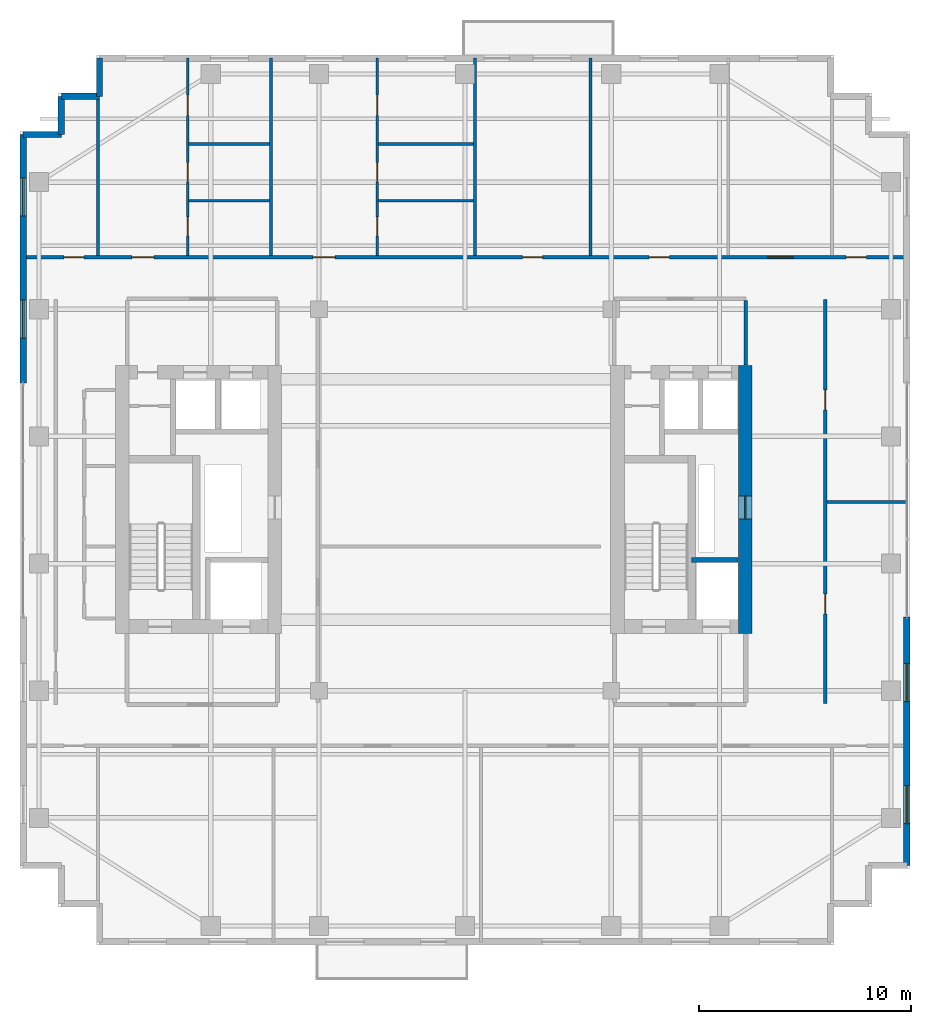
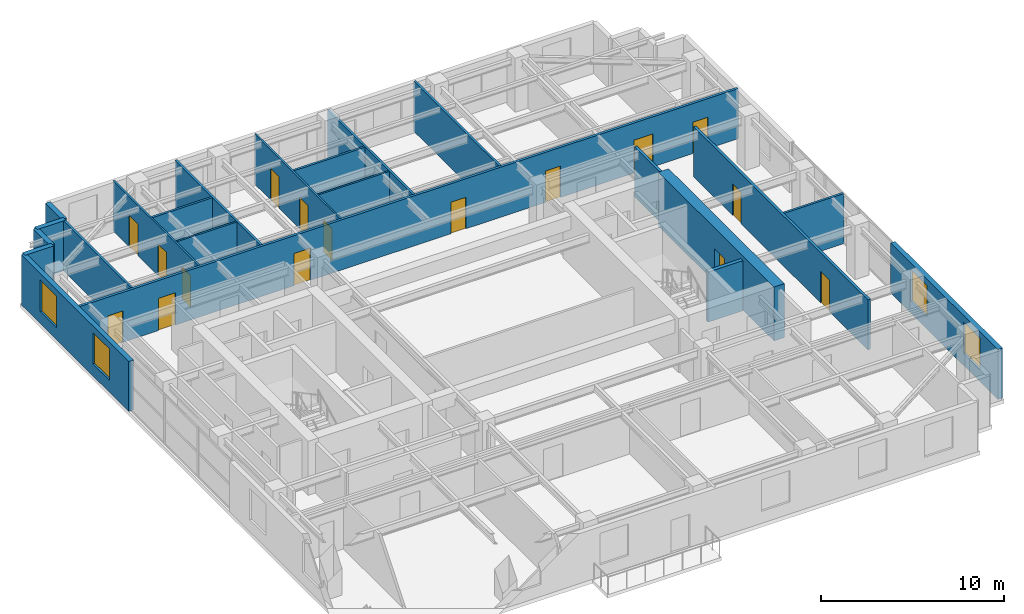
# One storey, part 11 of 14: 22 walls, 16 doors, 4 windows, 20 openings.
"""IFC4 building model written with IfcOpenShell, lengths in metres."""

from ifc_helpers import new_model, si_unit, direction, frame, frame_2d, origin, place, context, subcontext, project, spatial, rectangle, extrude, source, transform, mapped, material, layer, layer_set, type_object, element, fill, save


model = new_model("IFC4")

# Units and contexts
model_context = context("Model", 3, precision=1e-05, world=origin(), true_north=direction((0.0, 1.0)))
body_context = subcontext(model_context, "Body", "Model", "MODEL_VIEW")
ifc_project = project(units=[si_unit("LENGTHUNIT", "METRE"), si_unit("AREAUNIT", "SQUARE_METRE"), si_unit("VOLUMEUNIT", "CUBIC_METRE"), si_unit("PLANEANGLEUNIT", "RADIAN"), si_unit("MASSUNIT", "GRAM", prefix="KILO")], contexts=[model_context])

# Site, building, storey
site_placement = place(None, origin())
site = spatial("IfcSite", under=ifc_project, at=site_placement, CompositionType="ELEMENT")
building_placement = place(site_placement, origin())
building = spatial("IfcBuilding", under=site, at=building_placement, Name="Khoralis Quay Care Tower", CompositionType="ELEMENT")
storey_placement = place(building_placement, frame((0.0, 0.0, 177.300048828125)))
storey = spatial("IfcBuildingStorey", under=building, at=storey_placement, Name="L46", CompositionType="ELEMENT", Elevation=177.300048828125)

# Wall, opening, door
ifc_material_1 = material(Name="Concrete C65/80", Category="concrete")
ifc_layer_1 = layer(ifc_material_1, 0.64990234375)
ifc_layer_set_1 = layer_set([ifc_layer_1], Name="Concrete C65/80")
wall_type_1 = type_object("IfcWallType", Name="WL-CORE-650", PredefinedType="SHEAR", material=ifc_layer_set_1)
wall_1_placement = place(storey_placement, frame((37.22509765625, 14.699951171875, 0.0), z_axis=(0.0, 0.0, 1.0), x_axis=(0.0, 1.0, 0.0)))
wall_1 = element("IfcWall", 1, at=wall_1_placement, inside=storey, type_object=wall_type_1, Name="L46 ECORE East Shear Wall", PredefinedType="SHEAR", context=body_context, shape_type="SweptSolid", body=[
    extrude(rectangle(XDim=12.650146484375, YDim=0.64990234375, at=frame_2d((6.3251953125, 0.0))), origin(), (0.0, 0.0, 1.0), 3.599853515625),
])
opening_1_placement = place(wall_1_placement, frame((5.39990234375, 0.0, 0.0)))
opening_1 = element("IfcOpeningElement", 2, at=opening_1_placement, cuts=wall_1, Name="Opening SD1", PredefinedType="OPENING", context=body_context, shape_type="SweptSolid", body=[
    extrude(rectangle(XDim=1.10009765625, YDim=2.199951171875, at=frame_2d((0.550048828125, 1.10009765625))), frame((0.0, 0.3349609375, 0.0), z_axis=(0.0, -1.0, 0.0), x_axis=(1.0, 0.0, 0.0)), (0.0, 0.0, 1.0), 0.669921875),
])
ifc_material_2 = material(Name="Fire-rated painted steel", Category="steel")
door_type_1 = type_object("IfcDoorType", Name="DR-STAIR-1100X2200", OperationType="NOTDEFINED", PredefinedType="DOOR", material=ifc_material_2)
shared_shape_1 = source(origin(), body_context, "Body", "SweptSolid", [
    extrude(rectangle(XDim=1.10009765625, YDim=2.199951171875, at=frame_2d((0.550048828125, 1.10009765625))), frame((0.0, 0.02490234375, 0.0), z_axis=(0.0, -1.0, 0.0), x_axis=(1.0, 0.0, 0.0)), (0.0, 0.0, 1.0), 0.050048828125),
])
door_1_placement = place(opening_1_placement, frame((1.10009765625, 0.0, 0.0), z_axis=(0.0, 0.0, 1.0), x_axis=(-1.0, 0.0, 0.0)))
door_1 = element("IfcDoor", 3, at=door_1_placement, inside=storey, type_object=door_type_1, Name="L46 East MEP Riser Door", OperationType="SINGLE_SWING_LEFT", OverallHeight=2.199951171875, OverallWidth=1.10009765625, PredefinedType="DOOR", context=body_context, shape_type="MappedRepresentation", body=[
    mapped(shared_shape_1, transform((0.0, 0.0, 0.0), scale=1.0)),
])
fill(opening_1, door_1)

# Wall
ifc_material_3 = material(Name="Gypsum plasterboard on acoustic metal stud")
ifc_layer_2 = layer(ifc_material_3, 0.1650390625)
ifc_layer_set_2 = layer_set([ifc_layer_2], Name="Gypsum plasterboard on acoustic metal stud")
wall_type_2 = type_object("IfcWallType", Name="WL-CORR-165", PredefinedType="PARTITIONING", material=ifc_layer_set_2)
wall_2_placement = place(storey_placement, frame((37.25, 27.3701171875, 0.0), z_axis=(0.0, 0.0, 1.0), x_axis=(0.0, 1.0, 0.0)))
element("IfcWall", 4, at=wall_2_placement, inside=storey, type_object=wall_type_2, Name="L46 East Lift Lobby East Wall", PredefinedType="PARTITIONING", context=body_context, shape_type="SweptSolid", body=[
    extrude(rectangle(XDim=3.052490234375, YDim=0.1650390625, at=frame_2d((1.5263671875, 0.0))), origin(), (0.0, 0.0, 1.0), 3.33984375),
])

# Wall, openings, doors
wall_3_placement = place(storey_placement, frame((3.14501953125, 32.4599609375, 0.0), z_axis=(0.0, 0.0, 1.0), x_axis=(1.0, 0.0, 0.0)))
wall_3 = element("IfcWall", 5, at=wall_3_placement, inside=storey, type_object=wall_type_2, Name="L46 North Main Corridor Wall", PredefinedType="PARTITIONING", context=body_context, shape_type="SweptSolid", body=[
    extrude(rectangle(XDim=41.7099609375, YDim=0.1650390625, at=frame_2d((20.85498046875, 0.0))), origin(), (0.0, 0.0, 1.0), 3.33984375),
])
opening_2_placement = place(wall_3_placement, frame((5.131591796875, 0.0, 0.0)))
opening_2 = element("IfcOpeningElement", 6, at=opening_2_placement, cuts=wall_3, Name="Opening UD1", PredefinedType="OPENING", context=body_context, shape_type="SweptSolid", body=[
    extrude(rectangle(XDim=1.050048828125, YDim=2.14990234375, at=frame_2d((0.52490234375, 1.074951171875))), frame((0.0, 0.092529296875, 0.0), z_axis=(0.0, -1.0, 0.0), x_axis=(1.0, 0.0, 0.0)), (0.0, 0.0, 1.0), 0.18505859375),
])
opening_3_placement = place(wall_3_placement, frame((13.674072265625, 0.0, 0.0)))
opening_3 = element("IfcOpeningElement", 7, at=opening_3_placement, cuts=wall_3, Name="Opening UD1", PredefinedType="OPENING", context=body_context, shape_type="SweptSolid", body=[
    extrude(rectangle(XDim=1.050048828125, YDim=2.14990234375, at=frame_2d((0.52490234375, 1.074951171875))), frame((0.0, 0.092529296875, 0.0), z_axis=(0.0, -1.0, 0.0), x_axis=(1.0, 0.0, 0.0)), (0.0, 0.0, 1.0), 0.18505859375),
])
opening_4_placement = place(wall_3_placement, frame((23.570068359375, 0.0, 0.0)))
opening_4 = element("IfcOpeningElement", 8, at=opening_4_placement, cuts=wall_3, Name="Opening ID1", PredefinedType="OPENING", context=body_context, shape_type="SweptSolid", body=[
    extrude(rectangle(XDim=0.949951171875, YDim=2.10009765625, at=frame_2d((0.47509765625, 1.050048828125))), frame((0.0, 0.092529296875, 0.0), z_axis=(0.0, -1.0, 0.0), x_axis=(1.0, 0.0, 0.0)), (0.0, 0.0, 1.0), 0.18505859375),
])
opening_5_placement = place(wall_3_placement, frame((29.544921875, 0.0, 0.0)))
opening_5 = element("IfcOpeningElement", 9, at=opening_5_placement, cuts=wall_3, Name="Opening ID1", PredefinedType="OPENING", context=body_context, shape_type="SweptSolid", body=[
    extrude(rectangle(XDim=0.949951171875, YDim=2.10009765625, at=frame_2d((0.47509765625, 1.050048828125))), frame((0.0, 0.092529296875, 0.0), z_axis=(0.0, -1.0, 0.0), x_axis=(1.0, 0.0, 0.0)), (0.0, 0.0, 1.0), 0.18505859375),
])
opening_6_placement = place(wall_3_placement, frame((35.125, 0.0, 0.0)))
opening_6 = element("IfcOpeningElement", 10, at=opening_6_placement, cuts=wall_3, Name="Opening FD1", PredefinedType="OPENING", context=body_context, shape_type="SweptSolid", body=[
    extrude(rectangle(XDim=1.199951171875, YDim=2.199951171875, at=frame_2d((0.60009765625, 1.10009765625))), frame((0.0, 0.092529296875, 0.0), z_axis=(0.0, -1.0, 0.0), x_axis=(1.0, 0.0, 0.0)), (0.0, 0.0, 1.0), 0.18505859375),
])
opening_7_placement = place(wall_3_placement, frame((1.919921875, 0.0, 0.0)))
opening_7 = element("IfcOpeningElement", 11, at=opening_7_placement, cuts=wall_3, Name="Opening ID1", PredefinedType="OPENING", context=body_context, shape_type="SweptSolid", body=[
    extrude(rectangle(XDim=0.949951171875, YDim=2.10009765625, at=frame_2d((0.47509765625, 1.050048828125))), frame((0.0, 0.092529296875, 0.0), z_axis=(0.0, -1.0, 0.0), x_axis=(1.0, 0.0, 0.0)), (0.0, 0.0, 1.0), 0.18505859375),
])
opening_8_placement = place(wall_3_placement, frame((38.840087890625, 0.0, 0.0)))
opening_8 = element("IfcOpeningElement", 12, at=opening_8_placement, cuts=wall_3, Name="Opening ID1", PredefinedType="OPENING", context=body_context, shape_type="SweptSolid", body=[
    extrude(rectangle(XDim=0.949951171875, YDim=2.10009765625, at=frame_2d((0.47509765625, 1.050048828125))), frame((0.0, 0.092529296875, 0.0), z_axis=(0.0, -1.0, 0.0), x_axis=(1.0, 0.0, 0.0)), (0.0, 0.0, 1.0), 0.18505859375),
])
door_type_2 = type_object("IfcDoorType", Name="DR-FFL-1200X2200", OperationType="NOTDEFINED", PredefinedType="DOOR", material=ifc_material_2)
shared_shape_2 = source(origin(), body_context, "Body", "SweptSolid", [
    extrude(rectangle(XDim=1.199951171875, YDim=2.199951171875, at=frame_2d((0.60009765625, 1.10009765625))), frame((0.0, 0.02490234375, 0.0), z_axis=(0.0, -1.0, 0.0), x_axis=(1.0, 0.0, 0.0)), (0.0, 0.0, 1.0), 0.050048828125),
])
door_2_placement = place(opening_6_placement, origin())
door_2 = element("IfcDoor", 13, at=door_2_placement, inside=storey, type_object=door_type_2, Name="L46 Senior Wellness Pharmacy Shop Door", OperationType="DOUBLE_DOOR_SINGLE_SWING", OverallHeight=2.199951171875, OverallWidth=1.199951171875, PredefinedType="DOOR", context=body_context, shape_type="MappedRepresentation", body=[
    mapped(shared_shape_2, transform((0.0, 0.0, 0.0), scale=1.0)),
])
fill(opening_6, door_2)
ifc_material_4 = material(Name="Acoustic hardwood timber", Category="wood")
door_type_3 = type_object("IfcDoorType", Name="DR-ROOM-950X2100", OperationType="NOTDEFINED", PredefinedType="DOOR", material=ifc_material_4)
shared_shape_3 = source(origin(), body_context, "Body", "SweptSolid", [
    extrude(rectangle(XDim=0.949951171875, YDim=2.10009765625, at=frame_2d((0.47509765625, 1.050048828125))), frame((0.0, 0.02490234375, 0.0), z_axis=(0.0, -1.0, 0.0), x_axis=(1.0, 0.0, 0.0)), (0.0, 0.0, 1.0), 0.050048828125),
])
door_3_placement = place(opening_4_placement, origin())
door_3 = element("IfcDoor", 14, at=door_3_placement, inside=storey, type_object=door_type_3, Name="L46 Care Coordination Office Door", OperationType="SINGLE_SWING_LEFT", OverallHeight=2.10009765625, OverallWidth=0.949951171875, PredefinedType="DOOR", context=body_context, shape_type="MappedRepresentation", body=[
    mapped(shared_shape_3, transform((0.0, 0.0, 0.0), scale=1.0)),
])
fill(opening_4, door_3)
door_4_placement = place(opening_5_placement, origin())
door_4 = element("IfcDoor", 15, at=door_4_placement, inside=storey, type_object=door_type_3, Name="L46 Family Case Conference Room Door", OperationType="SINGLE_SWING_RIGHT", OverallHeight=2.10009765625, OverallWidth=0.949951171875, PredefinedType="DOOR", context=body_context, shape_type="MappedRepresentation", body=[
    mapped(shared_shape_3, transform((0.0, 0.0, 0.0), scale=1.0)),
])
fill(opening_5, door_4)
door_5_placement = place(opening_7_placement, origin())
door_5 = element("IfcDoor", 16, at=door_5_placement, inside=storey, type_object=door_type_3, Name="L46 NW Corner Door", OperationType="SINGLE_SWING_RIGHT", OverallHeight=2.10009765625, OverallWidth=0.949951171875, PredefinedType="DOOR", context=body_context, shape_type="MappedRepresentation", body=[
    mapped(shared_shape_3, transform((0.0, 0.0, 0.0), scale=1.0)),
])
fill(opening_7, door_5)
door_6_placement = place(opening_8_placement, origin())
door_6 = element("IfcDoor", 17, at=door_6_placement, inside=storey, type_object=door_type_3, Name="L46 NE Corner Door", OperationType="SINGLE_SWING_LEFT", OverallHeight=2.10009765625, OverallWidth=0.949951171875, PredefinedType="DOOR", context=body_context, shape_type="MappedRepresentation", body=[
    mapped(shared_shape_3, transform((0.0, 0.0, 0.0), scale=1.0)),
])
fill(opening_8, door_6)
door_type_4 = type_object("IfcDoorType", Name="DR-SUITE-1050X2150", OperationType="NOTDEFINED", PredefinedType="DOOR", material=ifc_material_4)
shared_shape_4 = source(origin(), body_context, "Body", "SweptSolid", [
    extrude(rectangle(XDim=1.050048828125, YDim=2.14990234375, at=frame_2d((0.52490234375, 1.074951171875))), frame((0.0, 0.02490234375, 0.0), z_axis=(0.0, -1.0, 0.0), x_axis=(1.0, 0.0, 0.0)), (0.0, 0.0, 1.0), 0.050048828125),
])
door_7_placement = place(opening_2_placement, origin())
door_7 = element("IfcDoor", 18, at=door_7_placement, inside=storey, type_object=door_type_4, Name="L46 Apartment NB0 Entrance Door", OperationType="SINGLE_SWING_RIGHT", OverallHeight=2.14990234375, OverallWidth=1.050048828125, PredefinedType="DOOR", context=body_context, shape_type="MappedRepresentation", body=[
    mapped(shared_shape_4, transform((0.0, 0.0, 0.0), scale=1.0)),
])
fill(opening_2, door_7)
door_8_placement = place(opening_3_placement, origin())
door_8 = element("IfcDoor", 19, at=door_8_placement, inside=storey, type_object=door_type_4, Name="L46 Apartment NB1 Entrance Door", OperationType="SINGLE_SWING_LEFT", OverallHeight=2.14990234375, OverallWidth=1.050048828125, PredefinedType="DOOR", context=body_context, shape_type="MappedRepresentation", body=[
    mapped(shared_shape_4, transform((0.0, 0.0, 0.0), scale=1.0)),
])
fill(opening_3, door_8)

wall_4_placement = place(storey_placement, frame((41.0, 11.39990234375, 0.0), z_axis=(0.0, 0.0, 1.0), x_axis=(0.0, 1.0, 0.0)))
wall_4 = element("IfcWall", 20, at=wall_4_placement, inside=storey, type_object=wall_type_2, Name="L46 East Gallery Wall", PredefinedType="PARTITIONING", context=body_context, shape_type="SweptSolid", body=[
    extrude(rectangle(XDim=19.050048828125, YDim=0.1650390625, at=frame_2d((9.52490234375, 0.0))), origin(), (0.0, 0.0, 1.0), 3.33984375),
])
opening_9_placement = place(wall_4_placement, frame((4.22509765625, 0.0, 0.0)))
opening_9 = element("IfcOpeningElement", 21, at=opening_9_placement, cuts=wall_4, Name="Opening ID1", PredefinedType="OPENING", context=body_context, shape_type="SweptSolid", body=[
    extrude(rectangle(XDim=0.949951171875, YDim=2.10009765625, at=frame_2d((0.47509765625, 1.050048828125))), frame((0.0, 0.092529296875, 0.0), z_axis=(0.0, -1.0, 0.0), x_axis=(1.0, 0.0, 0.0)), (0.0, 0.0, 1.0), 0.18505859375),
])
opening_10_placement = place(wall_4_placement, frame((13.85009765625, 0.0, 0.0)))
opening_10 = element("IfcOpeningElement", 22, at=opening_10_placement, cuts=wall_4, Name="Opening ID1", PredefinedType="OPENING", context=body_context, shape_type="SweptSolid", body=[
    extrude(rectangle(XDim=0.949951171875, YDim=2.10009765625, at=frame_2d((0.47509765625, 1.050048828125))), frame((0.0, 0.092529296875, 0.0), z_axis=(0.0, -1.0, 0.0), x_axis=(1.0, 0.0, 0.0)), (0.0, 0.0, 1.0), 0.18505859375),
])
door_9_placement = place(opening_9_placement, origin())
door_9 = element("IfcDoor", 23, at=door_9_placement, inside=storey, type_object=door_type_3, Name="L46 East Clinic Door", OperationType="SINGLE_SWING_LEFT", OverallHeight=2.10009765625, OverallWidth=0.949951171875, PredefinedType="DOOR", context=body_context, shape_type="MappedRepresentation", body=[
    mapped(shared_shape_3, transform((0.0, 0.0, 0.0), scale=1.0)),
])
fill(opening_9, door_9)
door_10_placement = place(opening_10_placement, origin())
door_10 = element("IfcDoor", 24, at=door_10_placement, inside=storey, type_object=door_type_3, Name="L46 East Lounge Door", OperationType="SINGLE_SWING_RIGHT", OverallHeight=2.10009765625, OverallWidth=0.949951171875, PredefinedType="DOOR", context=body_context, shape_type="MappedRepresentation", body=[
    mapped(shared_shape_3, transform((0.0, 0.0, 0.0), scale=1.0)),
])
fill(opening_10, door_10)

# Wall, openings, windows
ifc_material_5 = material(Name="Precast concrete C45/55", Category="concrete")
ifc_layer_3 = layer(ifc_material_5, 0.300048828125)
ifc_layer_set_3 = layer_set([ifc_layer_3], Name="Precast concrete C45/55")
wall_type_3 = type_object("IfcWallType", Name="WL-EXT-REF-300", PredefinedType="SOLIDWALL", material=ifc_layer_set_3)
wall_5_placement = place(storey_placement, frame((44.85009765625, 3.75, 0.0), z_axis=(0.0, 0.0, 1.0), x_axis=(0.0, 1.0, 0.0)))
wall_5 = element("IfcWall", 25, at=wall_5_placement, inside=storey, type_object=wall_type_3, Name="L46 External Facade Wall WL-EXT-L46-P1-E5A", PredefinedType="SOLIDWALL", context=body_context, shape_type="SweptSolid", body=[
    extrude(rectangle(XDim=11.72998046875, YDim=0.300048828125, at=frame_2d((5.864990234375, 0.0))), origin(), (0.0, 0.0, 1.0), 3.33984375),
])
opening_11_placement = place(wall_5_placement, frame((1.97509765625, 0.0, 0.800048828125)))
opening_11 = element("IfcOpeningElement", 26, at=opening_11_placement, cuts=wall_5, Name="Opening W2", PredefinedType="OPENING", context=body_context, shape_type="SweptSolid", body=[
    extrude(rectangle(XDim=1.800048828125, YDim=2.10009765625, at=frame_2d((0.89990234375, 1.050048828125))), frame((0.0, 0.16015625, 0.0), z_axis=(0.0, -1.0, 0.0), x_axis=(1.0, 0.0, 0.0)), (0.0, 0.0, 1.0), 0.320068359375),
])
opening_12_placement = place(wall_5_placement, frame((7.739990234375, 0.0, 0.800048828125)))
opening_12 = element("IfcOpeningElement", 27, at=opening_12_placement, cuts=wall_5, Name="Opening W2", PredefinedType="OPENING", context=body_context, shape_type="SweptSolid", body=[
    extrude(rectangle(XDim=1.800048828125, YDim=2.10009765625, at=frame_2d((0.89990234375, 1.050048828125))), frame((0.0, 0.16015625, 0.0), z_axis=(0.0, -1.0, 0.0), x_axis=(1.0, 0.0, 0.0)), (0.0, 0.0, 1.0), 0.320068359375),
])
ifc_material_6 = material(Name="Low-E solar-control double glazing", Category="glass")
window_type = type_object("IfcWindowType", Name="WN-POD-1800X2100", PartitioningType="SINGLE_PANEL", PredefinedType="WINDOW", material=ifc_material_6)
shared_shape_5 = source(origin(), body_context, "Body", "SweptSolid", [
    extrude(rectangle(XDim=1.800048828125, YDim=2.10009765625, at=frame_2d((0.89990234375, 1.050048828125))), frame((0.0, 0.030029296875, 0.0), z_axis=(0.0, -1.0, 0.0), x_axis=(1.0, 0.0, 0.0)), (0.0, 0.0, 1.0), 0.06005859375),
])
window_1_placement = place(opening_11_placement, origin())
window_1 = element("IfcWindow", 28, at=window_1_placement, inside=storey, type_object=window_type, Name="WN-L46-P1-E5A Facade Window 01", OverallHeight=2.10009765625, OverallWidth=1.800048828125, PartitioningType="SINGLE_PANEL", PredefinedType="WINDOW", context=body_context, shape_type="MappedRepresentation", body=[
    mapped(shared_shape_5, transform((0.0, 0.0, 0.0), scale=1.0)),
])
fill(opening_11, window_1)
window_2_placement = place(opening_12_placement, origin())
window_2 = element("IfcWindow", 29, at=window_2_placement, inside=storey, type_object=window_type, Name="WN-L46-P1-E5A Facade Window 02", OverallHeight=2.10009765625, OverallWidth=1.800048828125, PartitioningType="SINGLE_PANEL", PredefinedType="WINDOW", context=body_context, shape_type="MappedRepresentation", body=[
    mapped(shared_shape_5, transform((0.0, 0.0, 0.0), scale=1.0)),
])
fill(opening_12, window_2)

# Walls
for number, where, z_axis, x_axis, name in (
    (30, (6.75, 41.85009765625, 0.0), (0.0, 0.0, 1.0), (0.0, -1.0, 0.0), "L46 External Facade Wall WL-EXT-L46-P1-C11"),
    (31, (6.75, 40.050048828125, 0.0), (0.0, 0.0, 1.0), (-1.0, 0.0, 0.0), "L46 External Facade Wall WL-EXT-L46-P1-C12"),
    (32, (4.949951171875, 40.050048828125, 0.0), (0.0, 0.0, 1.0), (0.0, -1.0, 0.0), "L46 External Facade Wall WL-EXT-L46-P1-C13"),
    (33, (4.949951171875, 38.25, 0.0), (0.0, 0.0, 1.0), (-1.0, 0.0, 0.0), "L46 External Facade Wall WL-EXT-L46-P1-C14"),
):
    element("IfcWall", number, at=place(storey_placement, frame(where, z_axis=z_axis, x_axis=x_axis)), inside=storey, type_object=wall_type_3, Name=name, PredefinedType="SOLIDWALL", context=body_context, shape_type="SweptSolid", body=[
        extrude(rectangle(XDim=1.800048828125, YDim=0.300048828125, at=frame_2d((0.89990234375, 0.0))), origin(), (0.0, 0.0, 1.0), 3.33984375),
    ])

# Wall, openings, windows
wall_6_placement = place(storey_placement, frame((3.14990234375, 38.25, 0.0), z_axis=(0.0, 0.0, 1.0), x_axis=(0.0, -1.0, 0.0)))
wall_6 = element("IfcWall", 34, at=wall_6_placement, inside=storey, type_object=wall_type_3, Name="L46 External Facade Wall WL-EXT-L46-P1-E15A", PredefinedType="SOLIDWALL", context=body_context, shape_type="SweptSolid", body=[
    extrude(rectangle(XDim=11.72998046875, YDim=0.300048828125, at=frame_2d((5.864990234375, 0.0))), origin(), (0.0, 0.0, 1.0), 3.33984375),
])
opening_13_placement = place(wall_6_placement, frame((2.044921875, 0.0, 0.800048828125)))
opening_13 = element("IfcOpeningElement", 35, at=opening_13_placement, cuts=wall_6, Name="Opening W2", PredefinedType="OPENING", context=body_context, shape_type="SweptSolid", body=[
    extrude(rectangle(XDim=1.800048828125, YDim=2.10009765625, at=frame_2d((0.89990234375, 1.050048828125))), frame((0.0, 0.16015625, 0.0), z_axis=(0.0, -1.0, 0.0), x_axis=(1.0, 0.0, 0.0)), (0.0, 0.0, 1.0), 0.320068359375),
])
opening_14_placement = place(wall_6_placement, frame((7.81005859375, 0.0, 0.800048828125)))
opening_14 = element("IfcOpeningElement", 36, at=opening_14_placement, cuts=wall_6, Name="Opening W2", PredefinedType="OPENING", context=body_context, shape_type="SweptSolid", body=[
    extrude(rectangle(XDim=1.800048828125, YDim=2.10009765625, at=frame_2d((0.89990234375, 1.050048828125))), frame((0.0, 0.16015625, 0.0), z_axis=(0.0, -1.0, 0.0), x_axis=(1.0, 0.0, 0.0)), (0.0, 0.0, 1.0), 0.320068359375),
])
window_3_placement = place(opening_13_placement, origin())
window_3 = element("IfcWindow", 37, at=window_3_placement, inside=storey, type_object=window_type, Name="WN-L46-P1-E15A Facade Window 01", OverallHeight=2.10009765625, OverallWidth=1.800048828125, PartitioningType="SINGLE_PANEL", PredefinedType="WINDOW", context=body_context, shape_type="MappedRepresentation", body=[
    mapped(shared_shape_5, transform((0.0, 0.0, 0.0), scale=1.0)),
])
fill(opening_13, window_3)
window_4_placement = place(opening_14_placement, origin())
window_4 = element("IfcWindow", 38, at=window_4_placement, inside=storey, type_object=window_type, Name="WN-L46-P1-E15A Facade Window 02", OverallHeight=2.10009765625, OverallWidth=1.800048828125, PartitioningType="SINGLE_PANEL", PredefinedType="WINDOW", context=body_context, shape_type="MappedRepresentation", body=[
    mapped(shared_shape_5, transform((0.0, 0.0, 0.0), scale=1.0)),
])
fill(opening_14, window_4)

# Wall, openings, doors
ifc_layer_4 = layer(ifc_material_3, 0.114990234375)
ifc_layer_set_4 = layer_set([ifc_layer_4], Name="Gypsum plasterboard on acoustic metal stud")
wall_type_4 = type_object("IfcWallType", Name="WL-PART-115", PredefinedType="PARTITIONING", material=ifc_layer_set_4)
wall_7_placement = place(storey_placement, frame((10.923095703125, 32.53759765625, 0.0), z_axis=(0.0, 0.0, 1.0), x_axis=(0.0, 1.0, 0.0)))
wall_7 = element("IfcWall", 39, at=wall_7_placement, inside=storey, type_object=wall_type_4, Name="L46 Unit 0 Internal Wall", PredefinedType="PARTITIONING", context=body_context, shape_type="SweptSolid", body=[
    extrude(rectangle(XDim=9.3173828125, YDim=0.114990234375, at=frame_2d((4.65869140625, 0.0))), origin(), (0.0, 0.0, 1.0), 3.33984375),
])
opening_15_placement = place(wall_7_placement, frame((6.613525390625, 0.0, 0.0)))
opening_15 = element("IfcOpeningElement", 40, at=opening_15_placement, cuts=wall_7, Name="Opening ID1", PredefinedType="OPENING", context=body_context, shape_type="SweptSolid", body=[
    extrude(rectangle(XDim=0.949951171875, YDim=2.10009765625, at=frame_2d((0.47509765625, 1.050048828125))), frame((0.0, 0.0673828125, 0.0), z_axis=(0.0, -1.0, 0.0), x_axis=(1.0, 0.0, 0.0)), (0.0, 0.0, 1.0), 0.135009765625),
])
opening_16_placement = place(wall_7_placement, frame((3.47900390625, 0.0, 0.0)))
opening_16 = element("IfcOpeningElement", 41, at=opening_16_placement, cuts=wall_7, Name="Opening WD1", PredefinedType="OPENING", context=body_context, shape_type="SweptSolid", body=[
    extrude(rectangle(XDim=0.89990234375, YDim=2.10009765625, at=frame_2d((0.449951171875, 1.050048828125))), frame((0.0, 0.0673828125, 0.0), z_axis=(0.0, -1.0, 0.0), x_axis=(1.0, 0.0, 0.0)), (0.0, 0.0, 1.0), 0.135009765625),
])
opening_17_placement = place(wall_7_placement, frame((0.923095703125, 0.0, 0.0)))
opening_17 = element("IfcOpeningElement", 42, at=opening_17_placement, cuts=wall_7, Name="Opening WD1", PredefinedType="OPENING", context=body_context, shape_type="SweptSolid", body=[
    extrude(rectangle(XDim=0.89990234375, YDim=2.10009765625, at=frame_2d((0.449951171875, 1.050048828125))), frame((0.0, 0.0673828125, 0.0), z_axis=(0.0, -1.0, 0.0), x_axis=(1.0, 0.0, 0.0)), (0.0, 0.0, 1.0), 0.135009765625),
])
door_type_5 = type_object("IfcDoorType", Name="DR-BATH-900X2100", OperationType="NOTDEFINED", PredefinedType="DOOR", material=ifc_material_4)
shared_shape_6 = source(origin(), body_context, "Body", "SweptSolid", [
    extrude(rectangle(XDim=0.89990234375, YDim=2.10009765625, at=frame_2d((0.449951171875, 1.050048828125))), frame((0.0, 0.02490234375, 0.0), z_axis=(0.0, -1.0, 0.0), x_axis=(1.0, 0.0, 0.0)), (0.0, 0.0, 1.0), 0.050048828125),
])
door_11_placement = place(opening_16_placement, frame((0.89990234375, 0.0, 0.0), z_axis=(0.0, 0.0, 1.0), x_axis=(-1.0, 0.0, 0.0)))
door_11 = element("IfcDoor", 43, at=door_11_placement, inside=storey, type_object=door_type_5, Name="L46 Apartment NB0 KIT Door", OperationType="SINGLE_SWING_RIGHT", OverallHeight=2.10009765625, OverallWidth=0.89990234375, PredefinedType="DOOR", context=body_context, shape_type="MappedRepresentation", body=[
    mapped(shared_shape_6, transform((0.0, 0.0, 0.0), scale=1.0)),
])
fill(opening_16, door_11)
door_12_placement = place(opening_17_placement, frame((0.89990234375, 0.0, 0.0), z_axis=(0.0, 0.0, 1.0), x_axis=(-1.0, 0.0, 0.0)))
door_12 = element("IfcDoor", 44, at=door_12_placement, inside=storey, type_object=door_type_5, Name="L46 Apartment NB0 BTH Door", OperationType="SINGLE_SWING_LEFT", OverallHeight=2.10009765625, OverallWidth=0.89990234375, PredefinedType="DOOR", context=body_context, shape_type="MappedRepresentation", body=[
    mapped(shared_shape_6, transform((0.0, 0.0, 0.0), scale=1.0)),
])
fill(opening_17, door_12)
door_13_placement = place(opening_15_placement, frame((0.949951171875, 0.0, 0.0), z_axis=(0.0, 0.0, 1.0), x_axis=(-1.0, 0.0, 0.0)))
door_13 = element("IfcDoor", 45, at=door_13_placement, inside=storey, type_object=door_type_3, Name="L46 Apartment NB0 BED Door", OperationType="SINGLE_SWING_LEFT", OverallHeight=2.10009765625, OverallWidth=0.949951171875, PredefinedType="DOOR", context=body_context, shape_type="MappedRepresentation", body=[
    mapped(shared_shape_3, transform((0.0, 0.0, 0.0), scale=1.0)),
])
fill(opening_15, door_13)

# Wall
wall_8_placement = place(storey_placement, frame((10.9755859375, 35.131103515625, 0.0), z_axis=(0.0, 0.0, 1.0), x_axis=(1.0, 0.0, 0.0)))
element("IfcWall", 46, at=wall_8_placement, inside=storey, type_object=wall_type_4, Name="L46 Unit 0 Kitchen Wall", PredefinedType="PARTITIONING", context=body_context, shape_type="SweptSolid", body=[
    extrude(rectangle(XDim=3.79931640625, YDim=0.114990234375, at=frame_2d((1.899658203125, 0.0))), origin(), (0.0, 0.0, 1.0), 3.33984375),
])

# Wall, openings, doors
wall_9_placement = place(storey_placement, frame((19.847900390625, 32.53759765625, 0.0), z_axis=(0.0, 0.0, 1.0), x_axis=(0.0, 1.0, 0.0)))
wall_9 = element("IfcWall", 47, at=wall_9_placement, inside=storey, type_object=wall_type_4, Name="L46 Unit 1 Internal Wall", PredefinedType="PARTITIONING", context=body_context, shape_type="SweptSolid", body=[
    extrude(rectangle(XDim=9.3173828125, YDim=0.114990234375, at=frame_2d((4.65869140625, 0.0))), origin(), (0.0, 0.0, 1.0), 3.33984375),
])
opening_18_placement = place(wall_9_placement, frame((6.613525390625, 0.0, 0.0)))
opening_18 = element("IfcOpeningElement", 48, at=opening_18_placement, cuts=wall_9, Name="Opening ID1", PredefinedType="OPENING", context=body_context, shape_type="SweptSolid", body=[
    extrude(rectangle(XDim=0.949951171875, YDim=2.10009765625, at=frame_2d((0.47509765625, 1.050048828125))), frame((0.0, 0.0673828125, 0.0), z_axis=(0.0, -1.0, 0.0), x_axis=(1.0, 0.0, 0.0)), (0.0, 0.0, 1.0), 0.135009765625),
])
opening_19_placement = place(wall_9_placement, frame((3.47900390625, 0.0, 0.0)))
opening_19 = element("IfcOpeningElement", 49, at=opening_19_placement, cuts=wall_9, Name="Opening WD1", PredefinedType="OPENING", context=body_context, shape_type="SweptSolid", body=[
    extrude(rectangle(XDim=0.89990234375, YDim=2.10009765625, at=frame_2d((0.449951171875, 1.050048828125))), frame((0.0, 0.0673828125, 0.0), z_axis=(0.0, -1.0, 0.0), x_axis=(1.0, 0.0, 0.0)), (0.0, 0.0, 1.0), 0.135009765625),
])
opening_20_placement = place(wall_9_placement, frame((0.923095703125, 0.0, 0.0)))
opening_20 = element("IfcOpeningElement", 50, at=opening_20_placement, cuts=wall_9, Name="Opening WD1", PredefinedType="OPENING", context=body_context, shape_type="SweptSolid", body=[
    extrude(rectangle(XDim=0.89990234375, YDim=2.10009765625, at=frame_2d((0.449951171875, 1.050048828125))), frame((0.0, 0.0673828125, 0.0), z_axis=(0.0, -1.0, 0.0), x_axis=(1.0, 0.0, 0.0)), (0.0, 0.0, 1.0), 0.135009765625),
])
door_14_placement = place(opening_19_placement, frame((0.89990234375, 0.0, 0.0), z_axis=(0.0, 0.0, 1.0), x_axis=(-1.0, 0.0, 0.0)))
door_14 = element("IfcDoor", 51, at=door_14_placement, inside=storey, type_object=door_type_5, Name="L46 Apartment NB1 KIT Door", OperationType="SINGLE_SWING_LEFT", OverallHeight=2.10009765625, OverallWidth=0.89990234375, PredefinedType="DOOR", context=body_context, shape_type="MappedRepresentation", body=[
    mapped(shared_shape_6, transform((0.0, 0.0, 0.0), scale=1.0)),
])
fill(opening_19, door_14)
door_15_placement = place(opening_20_placement, frame((0.89990234375, 0.0, 0.0), z_axis=(0.0, 0.0, 1.0), x_axis=(-1.0, 0.0, 0.0)))
door_15 = element("IfcDoor", 52, at=door_15_placement, inside=storey, type_object=door_type_5, Name="L46 Apartment NB1 BTH Door", OperationType="SINGLE_SWING_RIGHT", OverallHeight=2.10009765625, OverallWidth=0.89990234375, PredefinedType="DOOR", context=body_context, shape_type="MappedRepresentation", body=[
    mapped(shared_shape_6, transform((0.0, 0.0, 0.0), scale=1.0)),
])
fill(opening_20, door_15)
door_16_placement = place(opening_18_placement, frame((0.949951171875, 0.0, 0.0), z_axis=(0.0, 0.0, 1.0), x_axis=(-1.0, 0.0, 0.0)))
door_16 = element("IfcDoor", 53, at=door_16_placement, inside=storey, type_object=door_type_3, Name="L46 Apartment NB1 BED Door", OperationType="SINGLE_SWING_RIGHT", OverallHeight=2.10009765625, OverallWidth=0.949951171875, PredefinedType="DOOR", context=body_context, shape_type="MappedRepresentation", body=[
    mapped(shared_shape_3, transform((0.0, 0.0, 0.0), scale=1.0)),
])
fill(opening_18, door_16)

# Walls
wall_10_placement = place(storey_placement, frame((19.900390625, 35.131103515625, 0.0), z_axis=(0.0, 0.0, 1.0), x_axis=(1.0, 0.0, 0.0)))
element("IfcWall", 54, at=wall_10_placement, inside=storey, type_object=wall_type_4, Name="L46 Unit 1 Kitchen Wall", PredefinedType="PARTITIONING", context=body_context, shape_type="SweptSolid", body=[
    extrude(rectangle(XDim=4.504638671875, YDim=0.114990234375, at=frame_2d((2.25244140625, 0.0))), origin(), (0.0, 0.0, 1.0), 3.33984375),
])
ifc_material_7 = material(Name="Moisture-resistant gypsum and ceramic tile")
ifc_layer_5 = layer(ifc_material_7, 0.280029296875)
ifc_layer_set_5 = layer_set([ifc_layer_5], Name="Moisture-resistant gypsum and ceramic tile")
wall_type_5 = type_object("IfcWallType", Name="WL-PLUMB-280", PredefinedType="PLUMBINGWALL", material=ifc_layer_set_5)
wall_11_placement = place(storey_placement, frame((10.9755859375, 37.802001953125, 0.0), z_axis=(0.0, 0.0, 1.0), x_axis=(1.0, 0.0, 0.0)))
element("IfcWall", 55, at=wall_11_placement, inside=storey, type_object=wall_type_5, Name="L46 Unit 0 Wet Wall", PredefinedType="PLUMBINGWALL", context=body_context, shape_type="SweptSolid", body=[
    extrude(rectangle(XDim=3.79931640625, YDim=0.139892578125, at=frame_2d((1.899658203125, 0.0))), origin(), (0.0, 0.0, 1.0), 3.33984375),
])
wall_12_placement = place(storey_placement, frame((19.900390625, 37.802001953125, 0.0), z_axis=(0.0, 0.0, 1.0), x_axis=(1.0, 0.0, 0.0)))
element("IfcWall", 56, at=wall_12_placement, inside=storey, type_object=wall_type_5, Name="L46 Unit 1 Wet Wall", PredefinedType="PLUMBINGWALL", context=body_context, shape_type="SweptSolid", body=[
    extrude(rectangle(XDim=4.504638671875, YDim=0.139892578125, at=frame_2d((2.25244140625, 0.0))), origin(), (0.0, 0.0, 1.0), 3.33984375),
])
ifc_layer_6 = layer(ifc_material_3, 0.239990234375)
ifc_layer_set_6 = layer_set([ifc_layer_6], Name="Gypsum plasterboard on acoustic metal stud")
wall_type_6 = type_object("IfcWallType", Name="WL-SHAFT-240", PredefinedType="PARTITIONING", material=ifc_layer_set_6)
wall_13_placement = place(storey_placement, frame((34.679931640625, 18.169921875, 0.0), z_axis=(0.0, 0.0, 1.0), x_axis=(1.0, 0.0, 0.0)))
element("IfcWall", 57, at=wall_13_placement, inside=storey, type_object=wall_type_6, Name="L46 FFL-2 Shaft Wall North", PredefinedType="PARTITIONING", context=body_context, shape_type="SweptSolid", body=[
    extrude(rectangle(XDim=2.199951171875, YDim=0.239990234375, at=frame_2d((1.10009765625, 0.0))), origin(), (0.0, 0.0, 1.0), 3.33984375),
])
ifc_layer_7 = layer(ifc_material_3, 0.139892578125)
ifc_layer_set_7 = layer_set([ifc_layer_7], Name="Gypsum plasterboard on acoustic metal stud")
wall_type_7 = type_object("IfcWallType", Name="WL-UNIT-140", PredefinedType="PARTITIONING", material=ifc_layer_set_7)
wall_14_placement = place(storey_placement, frame((41.077392578125, 20.89990234375, 0.0), z_axis=(0.0, 0.0, 1.0), x_axis=(1.0, 0.0, 0.0)))
element("IfcWall", 58, at=wall_14_placement, inside=storey, type_object=wall_type_7, Name="L46 East Mid Split", PredefinedType="PARTITIONING", context=body_context, shape_type="SweptSolid", body=[
    extrude(rectangle(XDim=3.777587890625, YDim=0.139892578125, at=frame_2d((1.888671875, 0.0))), origin(), (0.0, 0.0, 1.0), 3.33984375),
])
wall_15_placement = place(storey_placement, frame((6.679931640625, 32.53759765625, 0.0), z_axis=(0.0, 0.0, 1.0), x_axis=(0.0, 1.0, 0.0)))
element("IfcWall", 59, at=wall_15_placement, inside=storey, type_object=wall_type_7, Name="L46 NB Demising Wall 0", PredefinedType="PARTITIONING", context=body_context, shape_type="SweptSolid", body=[
    extrude(rectangle(XDim=7.517333984375, YDim=0.139892578125, at=frame_2d((3.7587890625, 0.0))), origin(), (0.0, 0.0, 1.0), 3.33984375),
])
for number, where, z_axis, x_axis, name in (
    (60, (14.840087890625, 32.53759765625, 0.0), (0.0, 0.0, 1.0), (0.0, 1.0, 0.0), "L46 NB Demising Wall 1"),
    (61, (24.469970703125, 32.53759765625, 0.0), (0.0, 0.0, 1.0), (0.0, 1.0, 0.0), "L46 NB Demising Wall 2"),
    (62, (29.909912109375, 32.53759765625, 0.0), (0.0, 0.0, 1.0), (0.0, 1.0, 0.0), "L46 NB Demising Wall 3"),
):
    element("IfcWall", number, at=place(storey_placement, frame(where, z_axis=z_axis, x_axis=x_axis)), inside=storey, type_object=wall_type_7, Name=name, PredefinedType="PARTITIONING", context=body_context, shape_type="SweptSolid", body=[
        extrude(rectangle(XDim=9.3173828125, YDim=0.139892578125, at=frame_2d((4.65869140625, 0.0))), origin(), (0.0, 0.0, 1.0), 3.33984375),
    ])

save(model, "model.ifc")
